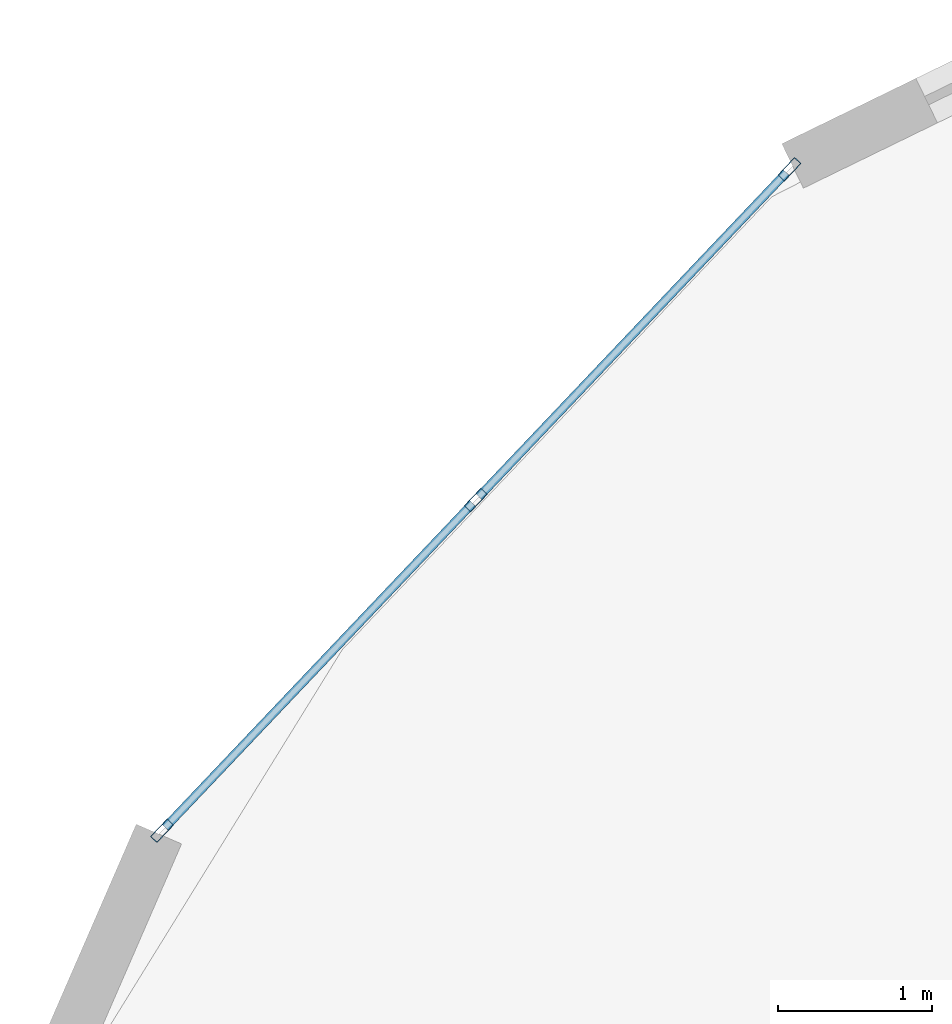
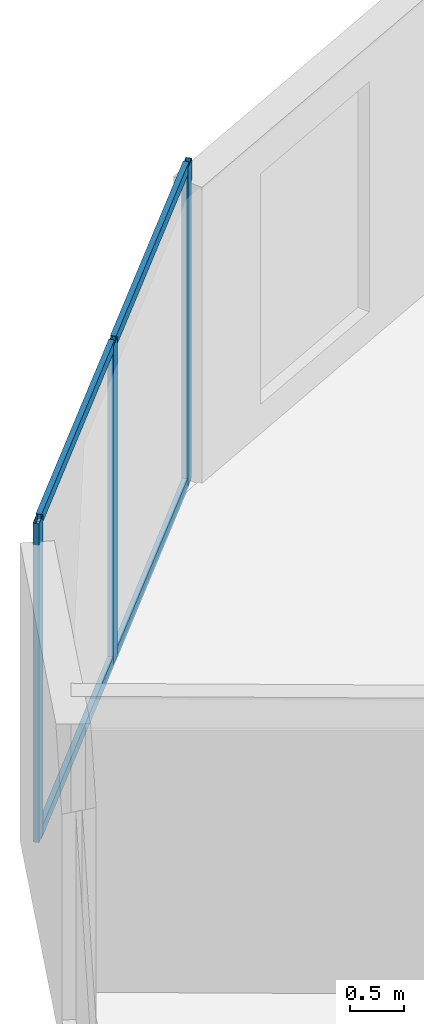
# One storey, part 14 of 23: 7 members, 1 element without a shape of its own.
"""IFC4 building model written with IfcOpenShell, lengths in metres."""

from ifc_helpers import new_model, si_unit, direction, frame, origin, origin_2d, place, context, subcontext, project, spatial, hollow_rectangle, extrude, source, transform, mapped, material, layer, layer_set, material_profile, profile_set, type_object, element, aggregate, save


model = new_model("IFC4")

# Units and contexts
model_context = context("Model", 3, precision=1e-05, world=origin(), true_north=direction((0.0, 1.0)))
body_context = subcontext(model_context, "Body", "Model", "MODEL_VIEW")
ifc_project = project(units=[si_unit("LENGTHUNIT", "METRE"), si_unit("AREAUNIT", "SQUARE_METRE"), si_unit("VOLUMEUNIT", "CUBIC_METRE"), si_unit("PLANEANGLEUNIT", "RADIAN"), si_unit("MASSUNIT", "GRAM", prefix="KILO")], contexts=[model_context])

# Site, building, storey
site_placement = place(None, origin())
site = spatial("IfcSite", under=ifc_project, at=site_placement, CompositionType="ELEMENT")
building_placement = place(site_placement, origin())
building = spatial("IfcBuilding", under=site, at=building_placement, Name="Solvirekh Grand Hotel", CompositionType="ELEMENT")
storey_placement = place(building_placement, frame((0.0, 0.0, 173.199951171875)))
storey = spatial("IfcBuildingStorey", under=building, at=storey_placement, Name="L44", CompositionType="ELEMENT", Elevation=173.199951171875)

# Curtain wall, members
ifc_material = material(Name="Anodized Bronze Aluminium 6063-T6", Category="aluminium")
ifc_layer = layer(ifc_material, 0.159912109375)
ifc_layer_set = layer_set([ifc_layer], Name="Anodized Bronze Aluminium 6063-T6")
curtain_wall_type = type_object("IfcCurtainWallType", Name="CW_Sys4_HighZoneFlushBronzeCW", PredefinedType="NOTDEFINED", material=ifc_layer_set)
curtain_wall_placement = place(storey_placement, origin())
curtain_wall = element("IfcCurtainWall", 1, at=curtain_wall_placement, inside=storey, type_object=curtain_wall_type, Name="L44 unitised bronze-glass curtain wall CW-L44-C11", PredefinedType="NOTDEFINED")
ifc_material_profile_1 = material_profile(ifc_material, hollow_rectangle(XDim=0.06005859375, YDim=0.159912109375, WallThickness=0.0048828125, at=origin_2d()), Name="ALU RHS 160X60X5")
ifc_profile_set_1 = profile_set([ifc_material_profile_1], Name="Anodized Bronze Aluminium 6063-T6")
member_type_1 = type_object("IfcMemberType", Name="CWMullion_Sys4", PredefinedType="MULLION", material=ifc_profile_set_1)
shared_shape_1 = source(origin(), body_context, "Body", "SweptSolid", [
    extrude(hollow_rectangle(XDim=0.06005859375, YDim=0.159912109375, WallThickness=0.0048828125, at=origin_2d()), origin(), (0.0, 0.0, 1.0), 3.60009765625),
])
member_1_placement = place(storey_placement, frame((-14.028564453125, 17.520263671875, 0.0), z_axis=(0.0, 0.0, 1.0), x_axis=(0.725547377968, -0.688172218506, 0.0)))
member_1 = element("IfcMember", 2, at=member_1_placement, type_object=member_type_1, Name="U04 mullion 1", PredefinedType="MULLION", context=body_context, shape_type="MappedRepresentation", body=[
    mapped(shared_shape_1, transform((0.0, 0.0, 0.0), x_axis=(1.0, 0.0, 0.0), y_axis=(0.0, 1.0, 0.0), z_axis=(0.0, 0.0, 1.0), scale=1.0)),
])
member_2_placement = place(storey_placement, frame((-16.06103515625, 15.37744140625, 0.0), z_axis=(0.0, 0.0, 1.0), x_axis=(0.725547377968, -0.688172218506, 0.0)))
member_2 = element("IfcMember", 3, at=member_2_placement, type_object=member_type_1, Name="U04 mullion 2", PredefinedType="MULLION", context=body_context, shape_type="MappedRepresentation", body=[
    mapped(shared_shape_1, transform((0.0, 0.0, 0.0), x_axis=(1.0, 0.0, 0.0), y_axis=(0.0, 1.0, 0.0), z_axis=(0.0, 0.0, 1.0), scale=1.0)),
])
member_3_placement = place(storey_placement, frame((-18.09326171875, 13.23486328125, 0.0), z_axis=(0.0, 0.0, 1.0), x_axis=(0.725547377968, -0.688172218506, 0.0)))
member_3 = element("IfcMember", 4, at=member_3_placement, type_object=member_type_1, Name="U04 mullion 3", PredefinedType="MULLION", context=body_context, shape_type="MappedRepresentation", body=[
    mapped(shared_shape_1, transform((0.0, 0.0, 0.0), x_axis=(1.0, 0.0, 0.0), y_axis=(0.0, 1.0, 0.0), z_axis=(0.0, 0.0, 1.0), scale=1.0)),
])
ifc_material_profile_2 = material_profile(ifc_material, hollow_rectangle(XDim=0.054931640625, YDim=0.1201171875, WallThickness=0.00390625, at=origin_2d()), Name="ALU RHS 120X55X4")
ifc_profile_set_2 = profile_set([ifc_material_profile_2], Name="Anodized Bronze Aluminium 6063-T6")
member_type_2 = type_object("IfcMemberType", Name="CWTransom_Sys4", PredefinedType="USERDEFINED", material=ifc_profile_set_2)
shared_shape_2 = source(origin(), body_context, "Body", "SweptSolid", [
    extrude(hollow_rectangle(XDim=0.054931640625, YDim=0.1201171875, WallThickness=0.00390625, at=origin_2d()), origin(), (0.0, 0.0, 1.0), 2.893310546875),
])
member_4_placement = place(storey_placement, frame((-14.04931640625, 17.49853515625, 0.027587890625), z_axis=(-0.688126053056, -0.725591162505, 0.0), x_axis=(0.725591162505, -0.688126053056, 0.0)))
member_4 = element("IfcMember", 5, at=member_4_placement, type_object=member_type_2, Name="U04 transom 1.1", ObjectType="TRANSOM", PredefinedType="USERDEFINED", context=body_context, shape_type="MappedRepresentation", body=[
    mapped(shared_shape_2, transform((0.0, 0.0, 0.0), x_axis=(1.0, 0.0, 0.0), y_axis=(0.0, 1.0, 0.0), z_axis=(0.0, 0.0, 1.0), scale=1.0)),
])
member_5_placement = place(storey_placement, frame((-14.04931640625, 17.49853515625, 3.572509765625), z_axis=(-0.688126053056, -0.725591162505, 0.0), x_axis=(0.725591162505, -0.688126053056, 0.0)))
member_5 = element("IfcMember", 6, at=member_5_placement, type_object=member_type_2, Name="U04 transom 1.2", ObjectType="TRANSOM", PredefinedType="USERDEFINED", context=body_context, shape_type="MappedRepresentation", body=[
    mapped(shared_shape_2, transform((0.0, 0.0, 0.0), x_axis=(1.0, 0.0, 0.0), y_axis=(0.0, 1.0, 0.0), z_axis=(0.0, 0.0, 1.0), scale=1.0)),
])
member_6_placement = place(storey_placement, frame((-16.08154296875, 15.355712890625, 0.027587890625), z_axis=(-0.68821260471, -0.725509070046, 0.0), x_axis=(0.725509070046, -0.68821260471, 0.0)))
member_6 = element("IfcMember", 7, at=member_6_placement, type_object=member_type_2, Name="U04 transom 2.1", ObjectType="TRANSOM", PredefinedType="USERDEFINED", context=body_context, shape_type="MappedRepresentation", body=[
    mapped(shared_shape_2, transform((0.0, 0.0, 0.0), x_axis=(1.0, 0.0, 0.0), y_axis=(0.0, 1.0, 0.0), z_axis=(0.0, 0.0, 1.0), scale=1.0)),
])
member_7_placement = place(storey_placement, frame((-16.08154296875, 15.355712890625, 3.572509765625), z_axis=(-0.68821260471, -0.725509070046, 0.0), x_axis=(0.725509070046, -0.68821260471, 0.0)))
member_7 = element("IfcMember", 8, at=member_7_placement, type_object=member_type_2, Name="U04 transom 2.2", ObjectType="TRANSOM", PredefinedType="USERDEFINED", context=body_context, shape_type="MappedRepresentation", body=[
    mapped(shared_shape_2, transform((0.0, 0.0, 0.0), x_axis=(1.0, 0.0, 0.0), y_axis=(0.0, 1.0, 0.0), z_axis=(0.0, 0.0, 1.0), scale=1.0)),
])
aggregate(curtain_wall, [member_1, member_2, member_3, member_4, member_5, member_6, member_7])

save(model, "model.ifc")
